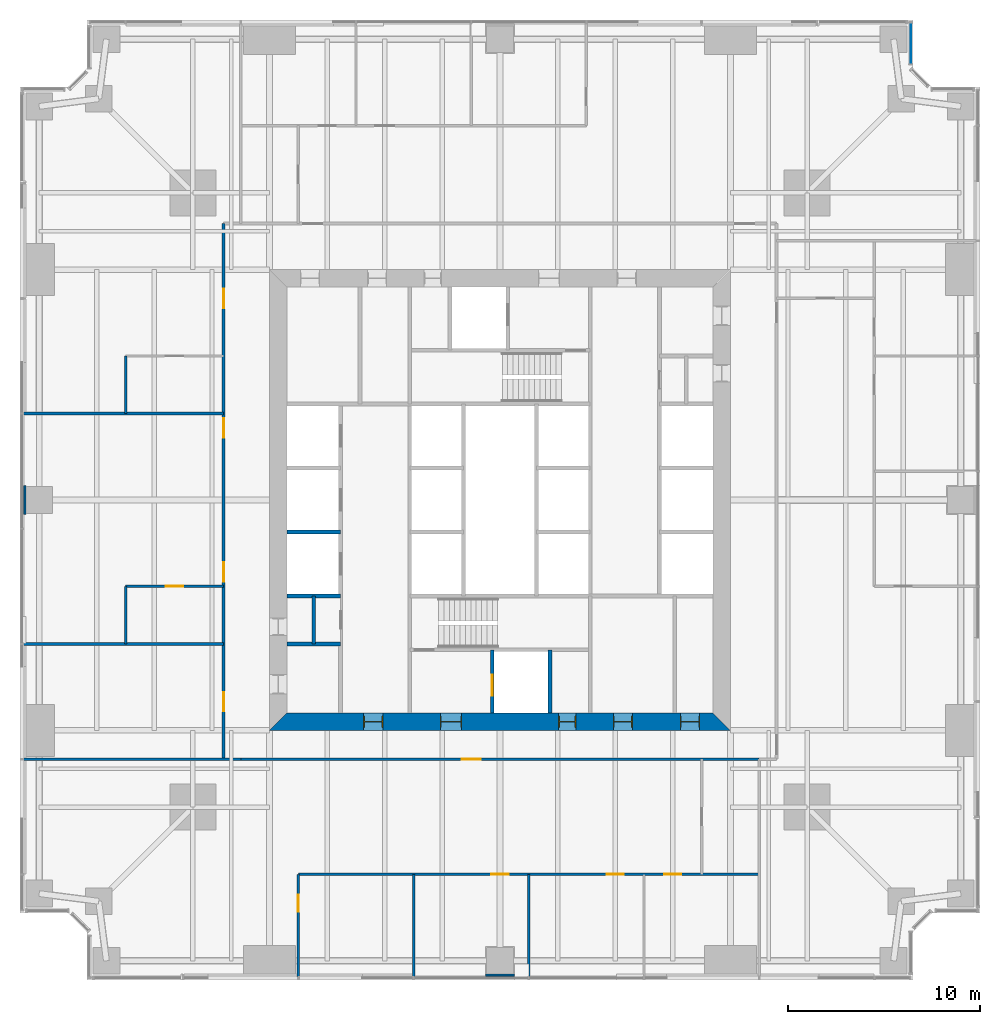
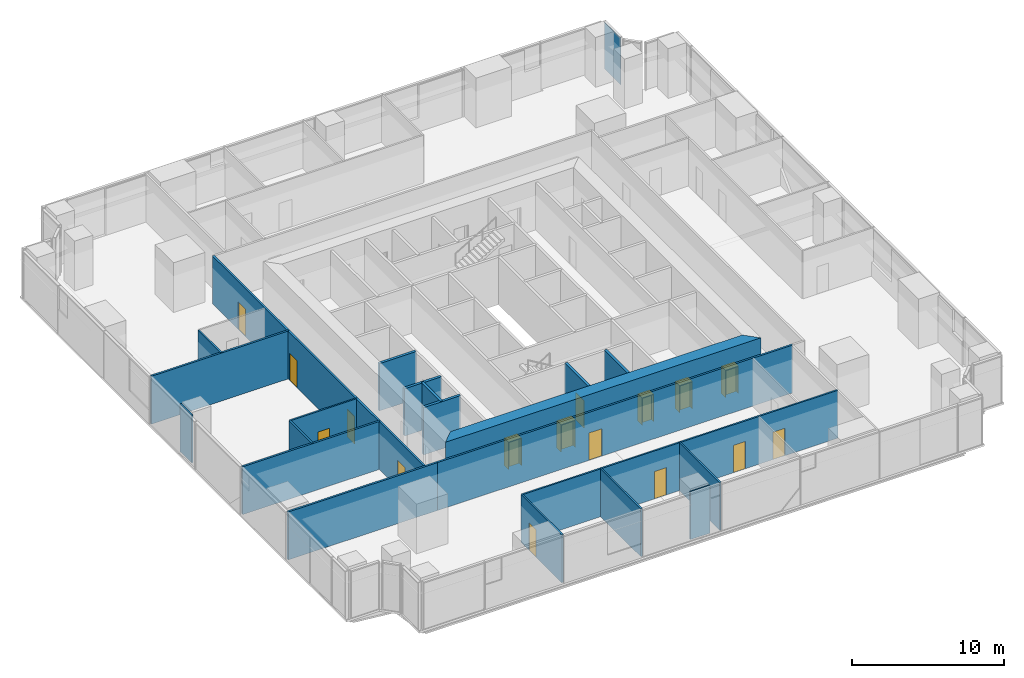
# One storey, part 9 of 16: 21 walls, 16 doors, 1 plate, 16 openings, 1 element without a shape of its own.
"""IFC4 building model written with IfcOpenShell, lengths in metres."""

from ifc_helpers import new_model, si_unit, direction, frame, frame_2d, origin, origin_2d, place, context, subcontext, project, spatial, polyline, rectangle, outline, extrude, material, layer, layer_set, type_object, element, fill, aggregate, save


model = new_model("IFC4")

# Units and contexts
model_context = context("Model", 3, precision=1e-05, world=origin(), true_north=direction((0.0, 1.0)))
body_context = subcontext(model_context, "Body", "Model", "MODEL_VIEW")
ifc_project = project(units=[si_unit("LENGTHUNIT", "METRE"), si_unit("AREAUNIT", "SQUARE_METRE"), si_unit("VOLUMEUNIT", "CUBIC_METRE"), si_unit("PLANEANGLEUNIT", "RADIAN"), si_unit("MASSUNIT", "GRAM", prefix="KILO")], contexts=[model_context])

# Site, building, storey
site_placement = place(None, origin())
site = spatial("IfcSite", under=ifc_project, at=site_placement, CompositionType="ELEMENT")
building_placement = place(site_placement, origin())
building = spatial("IfcBuilding", under=site, at=building_placement, Name="Fenwick Lantern Interchange", CompositionType="ELEMENT")
storey_placement = place(building_placement, frame((0.0, 0.0, 75.0)))
storey = spatial("IfcBuildingStorey", under=building, at=storey_placement, Name="L17", CompositionType="ELEMENT", Elevation=75.0)

# Curtain wall, plate
ifc_material_1 = material(Name="Aluminium curtain wall frame", Category="aluminium")
curtain_wall_type = type_object("IfcCurtainWallType", Name="OFFICE CURTAIN WALL", PredefinedType="USERDEFINED", material=ifc_material_1)
curtain_wall_placement = place(storey_placement, origin())
curtain_wall = element("IfcCurtainWall", 1, at=curtain_wall_placement, inside=storey, type_object=curtain_wall_type, Name="Office curtain wall 08", ObjectType="OFFICE CURTAIN WALL", PredefinedType="USERDEFINED")
ifc_material_2 = material(Name="Vision glass, clear low-iron double glazed", Category="glass")
ifc_layer_1 = layer(ifc_material_2, 0.031982421875)
ifc_layer_set_1 = layer_set([ifc_layer_1], Name="OFFICE CURTAIN WALL PANEL 32")
plate_type = type_object("IfcPlateType", Name="OFFICE CURTAIN WALL PANEL 32", PredefinedType="CURTAIN_PANEL", material=ifc_layer_set_1)
plate_placement = place(storey_placement, frame((46.39990234375, 48.779296875, 0.0), z_axis=(0.0, 0.0, 1.0), x_axis=(0.0, 1.0, 0.0)))
plate = element("IfcPlate", 2, at=plate_placement, type_object=plate_type, Name="L17/CW/08/P00", PredefinedType="CURTAIN_PANEL", context=body_context, shape_type="SweptSolid", body=[
    extrude(rectangle(XDim=2.111328125, YDim=0.031982421875, at=origin_2d()), origin(), (0.0, 0.0, 1.0), 3.75),
])
aggregate(curtain_wall, [plate])

# Walls
ifc_material_3 = material(Name="Fire-rated gypsum board encasement on steel studs, 2 hour", Category="steel")
ifc_layer_2 = layer(ifc_material_3, 1.5)
ifc_layer_set_2 = layer_set([ifc_layer_2], Name="COLUMN PIER 1500")
wall_type_1 = type_object("IfcWallType", Name="COLUMN PIER 1500", PredefinedType="PARTITIONING", material=ifc_layer_set_2)
for number, where, z_axis, x_axis, name in (
    (3, (25.0, 0.199951171875, 0.0), (0.0, 0.0, 1.0), (0.0, 1.0, 0.0), "L17/W/PIER/CS3"),
    (4, (0.199951171875, 25.0, 0.0), (0.0, 0.0, 1.0), (1.0, 0.0, 0.0), "L17/W/PIER/CW3"),
):
    element("IfcWall", number, at=place(storey_placement, frame(where, z_axis=z_axis, x_axis=x_axis)), inside=storey, type_object=wall_type_1, Name=name, PredefinedType="PARTITIONING", context=body_context, shape_type="SweptSolid", body=[
        extrude(rectangle(XDim=0.10009765625, YDim=1.5, at=frame_2d((0.050048828125, 0.0))), origin(), (0.0, 0.0, 1.0), 3.85009765625),
    ])
ifc_material_4 = material(Name="Concrete masonry ASTM C90 Grade N", Category="masonry")
ifc_layer_3 = layer(ifc_material_4, 0.199951171875)
ifc_layer_set_3 = layer_set([ifc_layer_3], Name="Concrete masonry ASTM C90 Grade N")
wall_type_2 = type_object("IfcWallType", Name="CORE PARTITION 200", PredefinedType="PARTITIONING", material=ifc_layer_set_3)
for number, where, z_axis, x_axis, name in (
    (5, (13.89990234375, 20.0, 0.0), (0.0, 0.0, 1.0), (1.0, 0.0, 0.0), "L17/W/CORES/c2"),
    (6, (13.89990234375, 23.333251953125, 0.0), (0.0, 0.0, 1.0), (1.0, 0.0, 0.0), "L17/W/CORES/d1"),
):
    element("IfcWall", number, at=place(storey_placement, frame(where, z_axis=z_axis, x_axis=x_axis)), inside=storey, type_object=wall_type_2, Name=name, PredefinedType="PARTITIONING", context=body_context, shape_type="SweptSolid", body=[
        extrude(rectangle(XDim=2.800048828125, YDim=0.199951171875, at=frame_2d((1.39990234375, 0.0))), origin(), (0.0, 0.0, 1.0), 3.800048828125),
    ])

# Wall, opening, door
wall_1_placement = place(storey_placement, frame((24.60009765625, 13.89990234375, 0.0), z_axis=(0.0, 0.0, 1.0), x_axis=(0.0, 1.0, 0.0)))
wall_1 = element("IfcWall", 7, at=wall_1_placement, inside=storey, type_object=wall_type_2, Name="L17/W/CORES/h1", PredefinedType="PARTITIONING", context=body_context, shape_type="SweptSolid", body=[
    extrude(rectangle(XDim=3.300048828125, YDim=0.199951171875, at=frame_2d((1.64990234375, 0.0))), origin(), (0.0, 0.0, 1.0), 3.800048828125),
])
opening_1_placement = place(wall_1_placement, frame((0.89990234375, 0.0, 0.0)))
opening_1 = element("IfcOpeningElement", 8, at=opening_1_placement, cuts=wall_1, Name="Opening LD-FL1", PredefinedType="OPENING", context=body_context, shape_type="SweptSolid", body=[
    extrude(rectangle(XDim=1.10009765625, YDim=2.199951171875, at=frame_2d((0.550048828125, 1.10009765625))), frame((0.0, 0.10986328125, 0.0), z_axis=(0.0, -1.0, 0.0), x_axis=(1.0, 0.0, 0.0)), (0.0, 0.0, 1.0), 0.219970703125),
])
ifc_material_5 = material(Name="Steel door and frame", Category="steel")
door_type_1 = type_object("IfcDoorType", Name="LIFT LANDING DOOR 1100 X 2200", OperationType="DOUBLE_DOOR_SLIDING", PredefinedType="DOOR", material=ifc_material_5)
door_1_placement = place(opening_1_placement, origin())
door_1 = element("IfcDoor", 9, at=door_1_placement, inside=storey, type_object=door_type_1, Name="Lift landing door FL1", OperationType="DOUBLE_DOOR_SLIDING", OverallHeight=2.199951171875, OverallWidth=1.10009765625, PredefinedType="DOOR", context=body_context, shape_type="SweptSolid", body=[
    extrude(rectangle(XDim=1.10009765625, YDim=2.199951171875, at=frame_2d((0.550048828125, 1.10009765625))), frame((0.0, 0.02490234375, 0.0), z_axis=(0.0, -1.0, 0.0), x_axis=(1.0, 0.0, 0.0)), (0.0, 0.0, 1.0), 0.050048828125),
])
fill(opening_1, door_1)

# Walls
wall_2_placement = place(storey_placement, frame((27.60009765625, 13.89990234375, 0.0), z_axis=(0.0, 0.0, 1.0), x_axis=(0.0, 1.0, 0.0)))
element("IfcWall", 10, at=wall_2_placement, inside=storey, type_object=wall_type_2, Name="L17/W/CORES/h2", PredefinedType="PARTITIONING", context=body_context, shape_type="SweptSolid", body=[
    extrude(rectangle(XDim=3.300048828125, YDim=0.199951171875, at=frame_2d((1.64990234375, 0.0))), origin(), (0.0, 0.0, 1.0), 3.800048828125),
])
wall_3_placement = place(storey_placement, frame((13.89990234375, 17.5, 0.0), z_axis=(0.0, 0.0, 1.0), x_axis=(1.0, 0.0, 0.0)))
element("IfcWall", 11, at=wall_3_placement, inside=storey, type_object=wall_type_2, Name="L17/W/CORES/p1", PredefinedType="PARTITIONING", context=body_context, shape_type="SweptSolid", body=[
    extrude(rectangle(XDim=2.800048828125, YDim=0.199951171875, at=frame_2d((1.39990234375, 0.0))), origin(), (0.0, 0.0, 1.0), 3.800048828125),
])
wall_4_placement = place(storey_placement, frame((15.300048828125, 17.5, 0.0), z_axis=(0.0, 0.0, 1.0), x_axis=(0.0, 1.0, 0.0)))
element("IfcWall", 12, at=wall_4_placement, inside=storey, type_object=wall_type_2, Name="L17/W/CORES/px", PredefinedType="PARTITIONING", context=body_context, shape_type="SweptSolid", body=[
    extrude(rectangle(XDim=2.5, YDim=0.199951171875, at=frame_2d((1.25, 0.0))), origin(), (0.0, 0.0, 1.0), 3.800048828125),
])

# Wall, openings, doors
ifc_material_6 = material(Name="Concrete f'c 70 MPa", Category="concrete")
ifc_layer_4 = layer(ifc_material_6, 0.89990234375)
ifc_layer_set_4 = layer_set([ifc_layer_4], Name="CORE WALL 900")
wall_type_3 = type_object("IfcWallType", Name="CORE WALL 900", PredefinedType="SHEAR", material=ifc_layer_set_4)
wall_5_placement = place(storey_placement, frame((13.0, 13.449951171875, 0.0), z_axis=(0.0, 0.0, 1.0), x_axis=(1.0, 0.0, 0.0)))
wall_5 = element("IfcWall", 13, at=wall_5_placement, inside=storey, type_object=wall_type_3, Name="L17/CORE/S", PredefinedType="SHEAR", context=body_context, shape_type="SweptSolid", body=[
    extrude(outline(polyline([(0.0, -0.449951171875), (24.0, -0.449951171875), (23.10009765625, 0.449951171875), (0.89990234375, 0.449951171875), (0.0, -0.449951171875)])), origin(), (0.0, 0.0, 1.0), 4.0),
])
opening_2_placement = place(wall_5_placement, frame((4.89990234375, 0.0, 0.0)))
opening_2 = element("IfcOpeningElement", 14, at=opening_2_placement, cuts=wall_5, Name="Opening L17-D001", PredefinedType="OPENING", context=body_context, shape_type="SweptSolid", body=[
    extrude(rectangle(XDim=1.0, YDim=2.199951171875, at=frame_2d((0.5, 1.10009765625))), frame((0.0, 0.4599609375, 0.0), z_axis=(0.0, -1.0, 0.0), x_axis=(1.0, 0.0, 0.0)), (0.0, 0.0, 1.0), 0.919921875),
])
opening_3_placement = place(wall_5_placement, frame((8.89990234375, 0.0, 0.0)))
opening_3 = element("IfcOpeningElement", 15, at=opening_3_placement, cuts=wall_5, Name="Opening L17-D002", PredefinedType="OPENING", context=body_context, shape_type="SweptSolid", body=[
    extrude(rectangle(XDim=1.10009765625, YDim=2.199951171875, at=frame_2d((0.550048828125, 1.10009765625))), frame((0.0, 0.4599609375, 0.0), z_axis=(0.0, -1.0, 0.0), x_axis=(1.0, 0.0, 0.0)), (0.0, 0.0, 1.0), 0.919921875),
])
opening_4_placement = place(wall_5_placement, frame((15.050048828125, 0.0, 0.0)))
opening_4 = element("IfcOpeningElement", 16, at=opening_4_placement, cuts=wall_5, Name="Opening L17-D004", PredefinedType="OPENING", context=body_context, shape_type="SweptSolid", body=[
    extrude(rectangle(XDim=0.89990234375, YDim=2.199951171875, at=frame_2d((0.449951171875, 1.10009765625))), frame((0.0, 0.4599609375, 0.0), z_axis=(0.0, -1.0, 0.0), x_axis=(1.0, 0.0, 0.0)), (0.0, 0.0, 1.0), 0.919921875),
])
opening_5_placement = place(wall_5_placement, frame((17.89990234375, 0.0, 0.0)))
opening_5 = element("IfcOpeningElement", 17, at=opening_5_placement, cuts=wall_5, Name="Opening L17-D005", PredefinedType="OPENING", context=body_context, shape_type="SweptSolid", body=[
    extrude(rectangle(XDim=1.0, YDim=2.199951171875, at=frame_2d((0.5, 1.10009765625))), frame((0.0, 0.4599609375, 0.0), z_axis=(0.0, -1.0, 0.0), x_axis=(1.0, 0.0, 0.0)), (0.0, 0.0, 1.0), 0.919921875),
])
opening_6_placement = place(wall_5_placement, frame((21.39990234375, 0.0, 0.0)))
opening_6 = element("IfcOpeningElement", 18, at=opening_6_placement, cuts=wall_5, Name="Opening L17-D006", PredefinedType="OPENING", context=body_context, shape_type="SweptSolid", body=[
    extrude(rectangle(XDim=1.0, YDim=2.199951171875, at=frame_2d((0.5, 1.10009765625))), frame((0.0, 0.4599609375, 0.0), z_axis=(0.0, -1.0, 0.0), x_axis=(1.0, 0.0, 0.0)), (0.0, 0.0, 1.0), 0.919921875),
])
door_type_2 = type_object("IfcDoorType", Name="CORE LOBBY DOOR 1000 X 2200", OperationType="SINGLE_SWING_LEFT", PredefinedType="DOOR", material=ifc_material_5)
door_2_placement = place(opening_2_placement, origin())
door_2 = element("IfcDoor", 19, at=door_2_placement, inside=storey, type_object=door_type_2, Name="Core lobby door", OperationType="SINGLE_SWING_LEFT", OverallHeight=2.199951171875, OverallWidth=1.0, PredefinedType="DOOR", context=body_context, shape_type="SweptSolid", body=[
    extrude(rectangle(XDim=1.0, YDim=2.199951171875, at=frame_2d((0.5, 1.10009765625))), frame((0.0, 0.02490234375, 0.0), z_axis=(0.0, -1.0, 0.0), x_axis=(1.0, 0.0, 0.0)), (0.0, 0.0, 1.0), 0.050048828125),
    extrude(outline(polyline([(0.0, 0.0), (0.0400390625, 0.0), (0.0400390625, 2.159912109375), (0.9599609375, 2.159912109375), (0.9599609375, 0.0), (1.0, 0.0), (1.0, 2.199951171875), (0.0, 2.199951171875), (0.0, 0.0)])), frame((0.0, 0.300048828125, 0.0), z_axis=(0.0, -1.0, 0.0), x_axis=(1.0, 0.0, 0.0)), (0.0, 0.0, 1.0), 0.60009765625),
])
fill(opening_2, door_2)
door_type_3 = type_object("IfcDoorType", Name="FIRE LOBBY DOOR 1100 X 2200", OperationType="SINGLE_SWING_LEFT", PredefinedType="DOOR", material=ifc_material_5)
door_3_placement = place(opening_3_placement, origin())
door_3 = element("IfcDoor", 20, at=door_3_placement, inside=storey, type_object=door_type_3, Name="Fire lobby door", OperationType="SINGLE_SWING_LEFT", OverallHeight=2.199951171875, OverallWidth=1.10009765625, PredefinedType="DOOR", context=body_context, shape_type="SweptSolid", body=[
    extrude(rectangle(XDim=1.10009765625, YDim=2.199951171875, at=frame_2d((0.550048828125, 1.10009765625))), frame((0.0, 0.02490234375, 0.0), z_axis=(0.0, -1.0, 0.0), x_axis=(1.0, 0.0, 0.0)), (0.0, 0.0, 1.0), 0.050048828125),
    extrude(outline(polyline([(0.0, 0.0), (0.0400390625, 0.0), (0.0400390625, 2.159912109375), (1.06005859375, 2.159912109375), (1.06005859375, 0.0), (1.10009765625, 0.0), (1.10009765625, 2.199951171875), (0.0, 2.199951171875), (0.0, 0.0)])), frame((0.0, 0.300048828125, 0.0), z_axis=(0.0, -1.0, 0.0), x_axis=(1.0, 0.0, 0.0)), (0.0, 0.0, 1.0), 0.60009765625),
])
fill(opening_3, door_3)
door_type_4 = type_object("IfcDoorType", Name="SERVICE DOOR 900 X 2200", OperationType="SINGLE_SWING_LEFT", PredefinedType="DOOR", material=ifc_material_5)
door_4_placement = place(opening_4_placement, origin())
door_4 = element("IfcDoor", 21, at=door_4_placement, inside=storey, type_object=door_type_4, Name="Service door", OperationType="SINGLE_SWING_LEFT", OverallHeight=2.199951171875, OverallWidth=0.89990234375, PredefinedType="DOOR", context=body_context, shape_type="SweptSolid", body=[
    extrude(rectangle(XDim=0.89990234375, YDim=2.199951171875, at=frame_2d((0.449951171875, 1.10009765625))), frame((0.0, 0.02490234375, 0.0), z_axis=(0.0, -1.0, 0.0), x_axis=(1.0, 0.0, 0.0)), (0.0, 0.0, 1.0), 0.050048828125),
    extrude(outline(polyline([(0.0, 0.0), (0.0400390625, 0.0), (0.0400390625, 2.159912109375), (0.85986328125, 2.159912109375), (0.85986328125, 0.0), (0.89990234375, 0.0), (0.89990234375, 2.199951171875), (0.0, 2.199951171875), (0.0, 0.0)])), frame((0.0, 0.300048828125, 0.0), z_axis=(0.0, -1.0, 0.0), x_axis=(1.0, 0.0, 0.0)), (0.0, 0.0, 1.0), 0.60009765625),
])
fill(opening_4, door_4)
ifc_material_7 = material(Name="Hardwood door and steel frame", Category="steel")
door_type_5 = type_object("IfcDoorType", Name="WC DOOR 1000 X 2200", OperationType="SINGLE_SWING_LEFT", PredefinedType="DOOR", material=ifc_material_7)
door_5_placement = place(opening_5_placement, origin())
door_5 = element("IfcDoor", 22, at=door_5_placement, inside=storey, type_object=door_type_5, Name="Wc door", OperationType="SINGLE_SWING_LEFT", OverallHeight=2.199951171875, OverallWidth=1.0, PredefinedType="DOOR", context=body_context, shape_type="SweptSolid", body=[
    extrude(rectangle(XDim=1.0, YDim=2.199951171875, at=frame_2d((0.5, 1.10009765625))), frame((0.0, 0.02490234375, 0.0), z_axis=(0.0, -1.0, 0.0), x_axis=(1.0, 0.0, 0.0)), (0.0, 0.0, 1.0), 0.050048828125),
    extrude(outline(polyline([(0.0, 0.0), (0.0400390625, 0.0), (0.0400390625, 2.159912109375), (0.9599609375, 2.159912109375), (0.9599609375, 0.0), (1.0, 0.0), (1.0, 2.199951171875), (0.0, 2.199951171875), (0.0, 0.0)])), frame((0.0, 0.300048828125, 0.0), z_axis=(0.0, -1.0, 0.0), x_axis=(1.0, 0.0, 0.0)), (0.0, 0.0, 1.0), 0.60009765625),
])
fill(opening_5, door_5)
door_6_placement = place(opening_6_placement, origin())
door_6 = element("IfcDoor", 23, at=door_6_placement, inside=storey, type_object=door_type_5, Name="Wc door", OperationType="SINGLE_SWING_LEFT", OverallHeight=2.199951171875, OverallWidth=1.0, PredefinedType="DOOR", context=body_context, shape_type="SweptSolid", body=[
    extrude(rectangle(XDim=1.0, YDim=2.199951171875, at=frame_2d((0.5, 1.10009765625))), frame((0.0, 0.02490234375, 0.0), z_axis=(0.0, -1.0, 0.0), x_axis=(1.0, 0.0, 0.0)), (0.0, 0.0, 1.0), 0.050048828125),
    extrude(outline(polyline([(0.0, 0.0), (0.0400390625, 0.0), (0.0400390625, 2.159912109375), (0.9599609375, 2.159912109375), (0.9599609375, 0.0), (1.0, 0.0), (1.0, 2.199951171875), (0.0, 2.199951171875), (0.0, 0.0)])), frame((0.0, 0.300048828125, 0.0), z_axis=(0.0, -1.0, 0.0), x_axis=(1.0, 0.0, 0.0)), (0.0, 0.0, 1.0), 0.60009765625),
])
fill(opening_6, door_6)

# Wall, opening, door
ifc_material_8 = material(Name="Gypsum board on steel studs, 1 hour", Category="steel")
ifc_layer_5 = layer(ifc_material_8, 0.14990234375)
ifc_layer_set_5 = layer_set([ifc_layer_5], Name="CORRIDOR WALL 150")
wall_type_4 = type_object("IfcWallType", Name="CORRIDOR WALL 150", PredefinedType="PARTITIONING", material=ifc_layer_set_5)
wall_6_placement = place(storey_placement, frame((11.5, 11.5, 0.0), z_axis=(0.0, 0.0, 1.0), x_axis=(1.0, 0.0, 0.0)))
wall_6 = element("IfcWall", 24, at=wall_6_placement, inside=storey, type_object=wall_type_4, Name="L17/W/OFF/S/CW", PredefinedType="PARTITIONING", context=body_context, shape_type="SweptSolid", body=[
    extrude(rectangle(XDim=27.0, YDim=0.14990234375, at=frame_2d((13.5, 0.0))), origin(), (0.0, 0.0, 1.0), 3.85009765625),
])
opening_7_placement = place(wall_6_placement, frame((11.5, 0.0, 0.0)))
opening_7 = element("IfcOpeningElement", 25, at=opening_7_placement, cuts=wall_6, Name="Opening L17-D019", PredefinedType="OPENING", context=body_context, shape_type="SweptSolid", body=[
    extrude(rectangle(XDim=1.0, YDim=2.199951171875, at=frame_2d((0.5, 1.10009765625))), frame((0.0, 0.0849609375, 0.0), z_axis=(0.0, -1.0, 0.0), x_axis=(1.0, 0.0, 0.0)), (0.0, 0.0, 1.0), 0.169921875),
])
door_type_6 = type_object("IfcDoorType", Name="SUITE ENTRANCE DOOR 1000 X 2200", OperationType="SINGLE_SWING_LEFT", PredefinedType="DOOR", material=ifc_material_5)
door_7_placement = place(opening_7_placement, frame((1.0, 0.0, 0.0), z_axis=(0.0, 0.0, 1.0), x_axis=(-1.0, 0.0, 0.0)))
door_7 = element("IfcDoor", 26, at=door_7_placement, inside=storey, type_object=door_type_6, Name="Suite entrance door", OperationType="SINGLE_SWING_LEFT", OverallHeight=2.199951171875, OverallWidth=1.0, PredefinedType="DOOR", context=body_context, shape_type="SweptSolid", body=[
    extrude(rectangle(XDim=1.0, YDim=2.199951171875, at=frame_2d((0.5, 1.10009765625))), frame((0.0, 0.02490234375, 0.0), z_axis=(0.0, -1.0, 0.0), x_axis=(1.0, 0.0, 0.0)), (0.0, 0.0, 1.0), 0.050048828125),
])
fill(opening_7, door_7)

# Wall, openings, doors
wall_7_placement = place(storey_placement, frame((10.60009765625, 39.39990234375, 0.0), z_axis=(0.0, 0.0, 1.0), x_axis=(0.0, -1.0, 0.0)))
wall_7 = element("IfcWall", 27, at=wall_7_placement, inside=storey, type_object=wall_type_4, Name="L17/W/OFF/W/CW2", PredefinedType="PARTITIONING", context=body_context, shape_type="SweptSolid", body=[
    extrude(rectangle(XDim=27.89990234375, YDim=0.14990234375, at=frame_2d((13.949951171875, 0.0))), origin(), (0.0, 0.0, 1.0), 3.85009765625),
])
opening_8_placement = place(wall_7_placement, frame((3.39990234375, 0.0, 0.0)))
opening_8 = element("IfcOpeningElement", 28, at=opening_8_placement, cuts=wall_7, Name="Opening L17-D037", PredefinedType="OPENING", context=body_context, shape_type="SweptSolid", body=[
    extrude(rectangle(XDim=1.0, YDim=2.199951171875, at=frame_2d((0.5, 1.10009765625))), frame((0.0, 0.0849609375, 0.0), z_axis=(0.0, -1.0, 0.0), x_axis=(1.0, 0.0, 0.0)), (0.0, 0.0, 1.0), 0.169921875),
])
opening_9_placement = place(wall_7_placement, frame((10.14990234375, 0.0, 0.0)))
opening_9 = element("IfcOpeningElement", 29, at=opening_9_placement, cuts=wall_7, Name="Opening L17-D039", PredefinedType="OPENING", context=body_context, shape_type="SweptSolid", body=[
    extrude(rectangle(XDim=1.0, YDim=2.199951171875, at=frame_2d((0.5, 1.10009765625))), frame((0.0, 0.0849609375, 0.0), z_axis=(0.0, -1.0, 0.0), x_axis=(1.0, 0.0, 0.0)), (0.0, 0.0, 1.0), 0.169921875),
])
opening_10_placement = place(wall_7_placement, frame((17.64990234375, 0.0, 0.0)))
opening_10 = element("IfcOpeningElement", 30, at=opening_10_placement, cuts=wall_7, Name="Opening L17-D040", PredefinedType="OPENING", context=body_context, shape_type="SweptSolid", body=[
    extrude(rectangle(XDim=1.0, YDim=2.199951171875, at=frame_2d((0.5, 1.10009765625))), frame((0.0, 0.0849609375, 0.0), z_axis=(0.0, -1.0, 0.0), x_axis=(1.0, 0.0, 0.0)), (0.0, 0.0, 1.0), 0.169921875),
])
opening_11_placement = place(wall_7_placement, frame((24.39990234375, 0.0, 0.0)))
opening_11 = element("IfcOpeningElement", 31, at=opening_11_placement, cuts=wall_7, Name="Opening L17-D042", PredefinedType="OPENING", context=body_context, shape_type="SweptSolid", body=[
    extrude(rectangle(XDim=1.0, YDim=2.199951171875, at=frame_2d((0.5, 1.10009765625))), frame((0.0, 0.0849609375, 0.0), z_axis=(0.0, -1.0, 0.0), x_axis=(1.0, 0.0, 0.0)), (0.0, 0.0, 1.0), 0.169921875),
])
door_8_placement = place(opening_8_placement, frame((1.0, 0.0, 0.0), z_axis=(0.0, 0.0, 1.0), x_axis=(-1.0, 0.0, 0.0)))
door_8 = element("IfcDoor", 32, at=door_8_placement, inside=storey, type_object=door_type_6, Name="Suite entrance door", OperationType="SINGLE_SWING_LEFT", OverallHeight=2.199951171875, OverallWidth=1.0, PredefinedType="DOOR", context=body_context, shape_type="SweptSolid", body=[
    extrude(rectangle(XDim=1.0, YDim=2.199951171875, at=frame_2d((0.5, 1.10009765625))), frame((0.0, 0.02490234375, 0.0), z_axis=(0.0, -1.0, 0.0), x_axis=(1.0, 0.0, 0.0)), (0.0, 0.0, 1.0), 0.050048828125),
])
fill(opening_8, door_8)
door_9_placement = place(opening_9_placement, origin())
door_9 = element("IfcDoor", 33, at=door_9_placement, inside=storey, type_object=door_type_6, Name="Suite entrance door", OperationType="SINGLE_SWING_LEFT", OverallHeight=2.199951171875, OverallWidth=1.0, PredefinedType="DOOR", context=body_context, shape_type="SweptSolid", body=[
    extrude(rectangle(XDim=1.0, YDim=2.199951171875, at=frame_2d((0.5, 1.10009765625))), frame((0.0, 0.02490234375, 0.0), z_axis=(0.0, -1.0, 0.0), x_axis=(1.0, 0.0, 0.0)), (0.0, 0.0, 1.0), 0.050048828125),
])
fill(opening_9, door_9)
door_10_placement = place(opening_10_placement, origin())
door_10 = element("IfcDoor", 34, at=door_10_placement, inside=storey, type_object=door_type_6, Name="Suite entrance door", OperationType="SINGLE_SWING_RIGHT", OverallHeight=2.199951171875, OverallWidth=1.0, PredefinedType="DOOR", context=body_context, shape_type="SweptSolid", body=[
    extrude(rectangle(XDim=1.0, YDim=2.199951171875, at=frame_2d((0.5, 1.10009765625))), frame((0.0, 0.02490234375, 0.0), z_axis=(0.0, -1.0, 0.0), x_axis=(1.0, 0.0, 0.0)), (0.0, 0.0, 1.0), 0.050048828125),
])
fill(opening_10, door_10)
door_11_placement = place(opening_11_placement, frame((1.0, 0.0, 0.0), z_axis=(0.0, 0.0, 1.0), x_axis=(-1.0, 0.0, 0.0)))
door_11 = element("IfcDoor", 35, at=door_11_placement, inside=storey, type_object=door_type_6, Name="Suite entrance door", OperationType="SINGLE_SWING_RIGHT", OverallHeight=2.199951171875, OverallWidth=1.0, PredefinedType="DOOR", context=body_context, shape_type="SweptSolid", body=[
    extrude(rectangle(XDim=1.0, YDim=2.199951171875, at=frame_2d((0.5, 1.10009765625))), frame((0.0, 0.02490234375, 0.0), z_axis=(0.0, -1.0, 0.0), x_axis=(1.0, 0.0, 0.0)), (0.0, 0.0, 1.0), 0.050048828125),
])
fill(opening_11, door_11)

# Wall, opening, door
ifc_material_9 = material(Name="Gypsum board on steel studs, acoustic", Category="steel")
ifc_layer_6 = layer(ifc_material_9, 0.125)
ifc_layer_set_6 = layer_set([ifc_layer_6], Name="OFFICE PARTITION 125")
wall_type_5 = type_object("IfcWallType", Name="OFFICE PARTITION 125", PredefinedType="PARTITIONING", material=ifc_layer_set_6)
wall_8_placement = place(storey_placement, frame((14.5, 0.14990234375, 0.0), z_axis=(0.0, 0.0, 1.0), x_axis=(0.0, 1.0, 0.0)))
wall_8 = element("IfcWall", 36, at=wall_8_placement, inside=storey, type_object=wall_type_5, Name="L17/W/OFF/S/X145-1", PredefinedType="PARTITIONING", context=body_context, shape_type="SweptSolid", body=[
    extrude(rectangle(XDim=5.35009765625, YDim=0.125, at=frame_2d((2.675048828125, 0.0))), origin(), (0.0, 0.0, 1.0), 3.85009765625),
])
opening_12_placement = place(wall_8_placement, frame((3.39990234375, 0.0, 0.0)))
opening_12 = element("IfcOpeningElement", 37, at=opening_12_placement, cuts=wall_8, Name="Opening L17-D020", PredefinedType="OPENING", context=body_context, shape_type="SweptSolid", body=[
    extrude(rectangle(XDim=0.89990234375, YDim=2.199951171875, at=frame_2d((0.449951171875, 1.10009765625))), frame((0.0, 0.072509765625, 0.0), z_axis=(0.0, -1.0, 0.0), x_axis=(1.0, 0.0, 0.0)), (0.0, 0.0, 1.0), 0.14501953125),
])
door_type_7 = type_object("IfcDoorType", Name="OFFICE DOOR 900 X 2200", OperationType="SINGLE_SWING_LEFT", PredefinedType="DOOR", material=ifc_material_7)
door_12_placement = place(opening_12_placement, frame((0.89990234375, 0.0, 0.0), z_axis=(0.0, 0.0, 1.0), x_axis=(-1.0, 0.0, 0.0)))
door_12 = element("IfcDoor", 38, at=door_12_placement, inside=storey, type_object=door_type_7, Name="Office door", OperationType="SINGLE_SWING_LEFT", OverallHeight=2.199951171875, OverallWidth=0.89990234375, PredefinedType="DOOR", context=body_context, shape_type="SweptSolid", body=[
    extrude(rectangle(XDim=0.89990234375, YDim=2.199951171875, at=frame_2d((0.449951171875, 1.10009765625))), frame((0.0, 0.02490234375, 0.0), z_axis=(0.0, -1.0, 0.0), x_axis=(1.0, 0.0, 0.0)), (0.0, 0.0, 1.0), 0.050048828125),
])
fill(opening_12, door_12)

# Walls
for number, where, z_axis, x_axis, name in (
    (39, (20.5, 0.14990234375, 0.0), (0.0, 0.0, 1.0), (0.0, 1.0, 0.0), "L17/W/OFF/S/X205-1"),
    (40, (26.5, 0.14990234375, 0.0), (0.0, 0.0, 1.0), (0.0, 1.0, 0.0), "L17/W/OFF/S/X265-1"),
):
    element("IfcWall", number, at=place(storey_placement, frame(where, z_axis=z_axis, x_axis=x_axis)), inside=storey, type_object=wall_type_5, Name=name, PredefinedType="PARTITIONING", context=body_context, shape_type="SweptSolid", body=[
        extrude(rectangle(XDim=5.35009765625, YDim=0.125, at=frame_2d((2.675048828125, 0.0))), origin(), (0.0, 0.0, 1.0), 3.85009765625),
    ])

# Wall, openings, doors
wall_9_placement = place(storey_placement, frame((14.5, 5.5, 0.0), z_axis=(0.0, 0.0, 1.0), x_axis=(1.0, 0.0, 0.0)))
wall_9 = element("IfcWall", 41, at=wall_9_placement, inside=storey, type_object=wall_type_5, Name="L17/W/OFF/S/Y55-1", PredefinedType="PARTITIONING", context=body_context, shape_type="SweptSolid", body=[
    extrude(rectangle(XDim=24.0, YDim=0.125, at=frame_2d((12.0, 0.0))), origin(), (0.0, 0.0, 1.0), 3.85009765625),
])
opening_13_placement = place(wall_9_placement, frame((10.050048828125, 0.0, 0.0)))
opening_13 = element("IfcOpeningElement", 42, at=opening_13_placement, cuts=wall_9, Name="Opening L17-D021", PredefinedType="OPENING", context=body_context, shape_type="SweptSolid", body=[
    extrude(rectangle(XDim=0.89990234375, YDim=2.199951171875, at=frame_2d((0.449951171875, 1.10009765625))), frame((0.0, 0.072509765625, 0.0), z_axis=(0.0, -1.0, 0.0), x_axis=(1.0, 0.0, 0.0)), (0.0, 0.0, 1.0), 0.14501953125),
])
opening_14_placement = place(wall_9_placement, frame((16.050048828125, 0.0, 0.0)))
opening_14 = element("IfcOpeningElement", 43, at=opening_14_placement, cuts=wall_9, Name="Opening L17-D022", PredefinedType="OPENING", context=body_context, shape_type="SweptSolid", body=[
    extrude(rectangle(XDim=0.89990234375, YDim=2.199951171875, at=frame_2d((0.449951171875, 1.10009765625))), frame((0.0, 0.072509765625, 0.0), z_axis=(0.0, -1.0, 0.0), x_axis=(1.0, 0.0, 0.0)), (0.0, 0.0, 1.0), 0.14501953125),
])
opening_15_placement = place(wall_9_placement, frame((19.050048828125, 0.0, 0.0)))
opening_15 = element("IfcOpeningElement", 44, at=opening_15_placement, cuts=wall_9, Name="Opening L17-D023", PredefinedType="OPENING", context=body_context, shape_type="SweptSolid", body=[
    extrude(rectangle(XDim=0.89990234375, YDim=2.199951171875, at=frame_2d((0.449951171875, 1.10009765625))), frame((0.0, 0.072509765625, 0.0), z_axis=(0.0, -1.0, 0.0), x_axis=(1.0, 0.0, 0.0)), (0.0, 0.0, 1.0), 0.14501953125),
])
door_13_placement = place(opening_13_placement, frame((0.89990234375, 0.0, 0.0), z_axis=(0.0, 0.0, 1.0), x_axis=(-1.0, 0.0, 0.0)))
door_13 = element("IfcDoor", 45, at=door_13_placement, inside=storey, type_object=door_type_7, Name="Office door", OperationType="SINGLE_SWING_LEFT", OverallHeight=2.199951171875, OverallWidth=0.89990234375, PredefinedType="DOOR", context=body_context, shape_type="SweptSolid", body=[
    extrude(rectangle(XDim=0.89990234375, YDim=2.199951171875, at=frame_2d((0.449951171875, 1.10009765625))), frame((0.0, 0.02490234375, 0.0), z_axis=(0.0, -1.0, 0.0), x_axis=(1.0, 0.0, 0.0)), (0.0, 0.0, 1.0), 0.050048828125),
])
fill(opening_13, door_13)
door_14_placement = place(opening_14_placement, frame((0.89990234375, 0.0, 0.0), z_axis=(0.0, 0.0, 1.0), x_axis=(-1.0, 0.0, 0.0)))
door_14 = element("IfcDoor", 46, at=door_14_placement, inside=storey, type_object=door_type_7, Name="Office door", OperationType="SINGLE_SWING_LEFT", OverallHeight=2.199951171875, OverallWidth=0.89990234375, PredefinedType="DOOR", context=body_context, shape_type="SweptSolid", body=[
    extrude(rectangle(XDim=0.89990234375, YDim=2.199951171875, at=frame_2d((0.449951171875, 1.10009765625))), frame((0.0, 0.02490234375, 0.0), z_axis=(0.0, -1.0, 0.0), x_axis=(1.0, 0.0, 0.0)), (0.0, 0.0, 1.0), 0.050048828125),
])
fill(opening_14, door_14)
door_15_placement = place(opening_15_placement, frame((0.89990234375, 0.0, 0.0), z_axis=(0.0, 0.0, 1.0), x_axis=(-1.0, 0.0, 0.0)))
door_15 = element("IfcDoor", 47, at=door_15_placement, inside=storey, type_object=door_type_7, Name="Office door", OperationType="SINGLE_SWING_RIGHT", OverallHeight=2.199951171875, OverallWidth=0.89990234375, PredefinedType="DOOR", context=body_context, shape_type="SweptSolid", body=[
    extrude(rectangle(XDim=0.89990234375, YDim=2.199951171875, at=frame_2d((0.449951171875, 1.10009765625))), frame((0.0, 0.02490234375, 0.0), z_axis=(0.0, -1.0, 0.0), x_axis=(1.0, 0.0, 0.0)), (0.0, 0.0, 1.0), 0.050048828125),
])
fill(opening_15, door_15)

# Wall, opening, door
wall_10_placement = place(storey_placement, frame((5.5, 20.5, 0.0), z_axis=(0.0, 0.0, 1.0), x_axis=(1.0, 0.0, 0.0)))
wall_10 = element("IfcWall", 48, at=wall_10_placement, inside=storey, type_object=wall_type_5, Name="L17/W/OFF/W/X295-1", PredefinedType="PARTITIONING", context=body_context, shape_type="SweptSolid", body=[
    extrude(rectangle(XDim=5.10009765625, YDim=0.125, at=frame_2d((2.550048828125, 0.0))), origin(), (0.0, 0.0, 1.0), 3.85009765625),
])
opening_16_placement = place(wall_10_placement, frame((2.10009765625, 0.0, 0.0)))
opening_16 = element("IfcOpeningElement", 49, at=opening_16_placement, cuts=wall_10, Name="Opening L17-D041", PredefinedType="OPENING", context=body_context, shape_type="SweptSolid", body=[
    extrude(rectangle(XDim=0.89990234375, YDim=2.199951171875, at=frame_2d((0.449951171875, 1.10009765625))), frame((0.0, 0.072509765625, 0.0), z_axis=(0.0, -1.0, 0.0), x_axis=(1.0, 0.0, 0.0)), (0.0, 0.0, 1.0), 0.14501953125),
])
door_16_placement = place(opening_16_placement, frame((0.89990234375, 0.0, 0.0), z_axis=(0.0, 0.0, 1.0), x_axis=(-1.0, 0.0, 0.0)))
door_16 = element("IfcDoor", 50, at=door_16_placement, inside=storey, type_object=door_type_7, Name="Office door", OperationType="SINGLE_SWING_RIGHT", OverallHeight=2.199951171875, OverallWidth=0.89990234375, PredefinedType="DOOR", context=body_context, shape_type="SweptSolid", body=[
    extrude(rectangle(XDim=0.89990234375, YDim=2.199951171875, at=frame_2d((0.449951171875, 1.10009765625))), frame((0.0, 0.02490234375, 0.0), z_axis=(0.0, -1.0, 0.0), x_axis=(1.0, 0.0, 0.0)), (0.0, 0.0, 1.0), 0.050048828125),
])
fill(opening_16, door_16)

# Walls
for number, where, z_axis, x_axis, name in (
    (51, (5.5, 32.5, 0.0), (0.0, 0.0, 1.0), (0.0, -1.0, 0.0), "L17/W/OFF/W/Y55-1"),
    (52, (5.5, 20.5, 0.0), (0.0, 0.0, 1.0), (0.0, -1.0, 0.0), "L17/W/OFF/W/Y55-2"),
):
    element("IfcWall", number, at=place(storey_placement, frame(where, z_axis=z_axis, x_axis=x_axis)), inside=storey, type_object=wall_type_5, Name=name, PredefinedType="PARTITIONING", context=body_context, shape_type="SweptSolid", body=[
        extrude(rectangle(XDim=3.0, YDim=0.125, at=frame_2d((1.5, 0.0))), origin(), (0.0, 0.0, 1.0), 3.85009765625),
    ])
ifc_material_10 = material(Name="Gypsum board on steel studs, 1 hour acoustic", Category="steel")
ifc_layer_7 = layer(ifc_material_10, 0.14990234375)
ifc_layer_set_7 = layer_set([ifc_layer_7], Name="TENANT WALL 150")
wall_type_6 = type_object("IfcWallType", Name="TENANT WALL 150", PredefinedType="PARTITIONING", material=ifc_layer_set_7)
wall_11_placement = place(storey_placement, frame((0.14990234375, 11.5, 0.0), z_axis=(0.0, 0.0, 1.0), x_axis=(1.0, 0.0, 0.0)))
element("IfcWall", 53, at=wall_11_placement, inside=storey, type_object=wall_type_6, Name="L17/W/OFF/S/BACK", PredefinedType="PARTITIONING", context=body_context, shape_type="SweptSolid", body=[
    extrude(rectangle(XDim=11.35009765625, YDim=0.14990234375, at=frame_2d((5.675048828125, 0.0))), origin(), (0.0, 0.0, 1.0), 3.85009765625),
])
for number, where, z_axis, x_axis, name in (
    (54, (0.14990234375, 29.5, 0.0), (0.0, 0.0, 1.0), (1.0, 0.0, 0.0), "L17/W/OFF/W/X205-1"),
    (55, (0.14990234375, 17.5, 0.0), (0.0, 0.0, 1.0), (1.0, 0.0, 0.0), "L17/W/OFF/W/X325-1"),
):
    element("IfcWall", number, at=place(storey_placement, frame(where, z_axis=z_axis, x_axis=x_axis)), inside=storey, type_object=wall_type_6, Name=name, PredefinedType="PARTITIONING", context=body_context, shape_type="SweptSolid", body=[
        extrude(rectangle(XDim=10.4501953125, YDim=0.14990234375, at=frame_2d((5.22509765625, 0.0))), origin(), (0.0, 0.0, 1.0), 3.85009765625),
    ])

save(model, "model.ifc")
